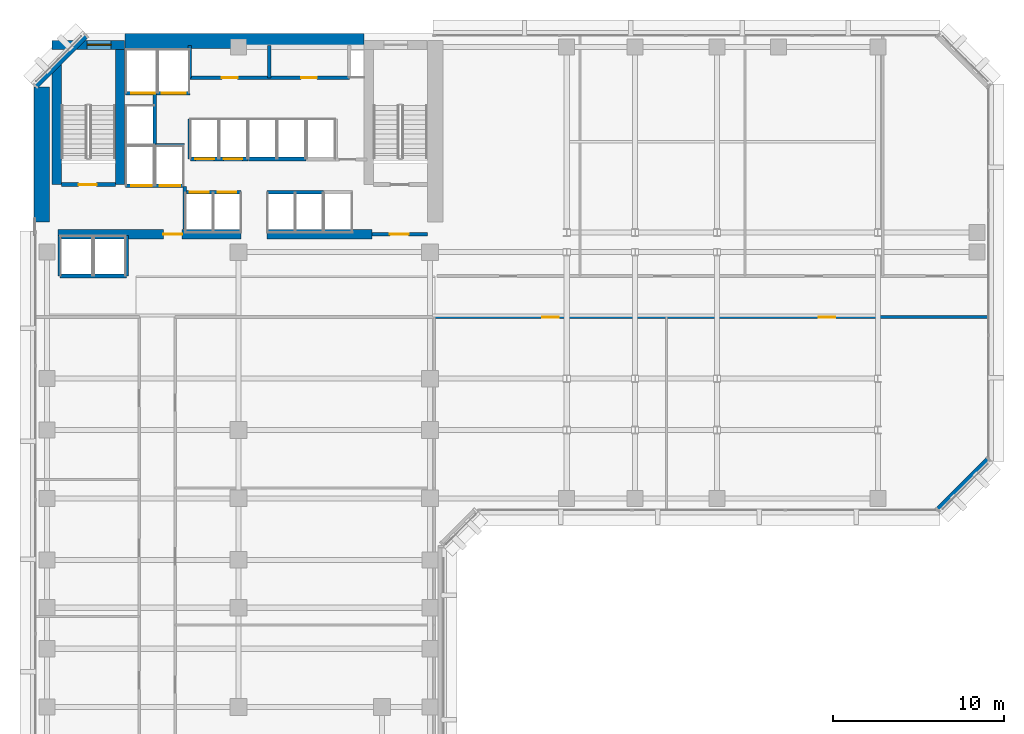
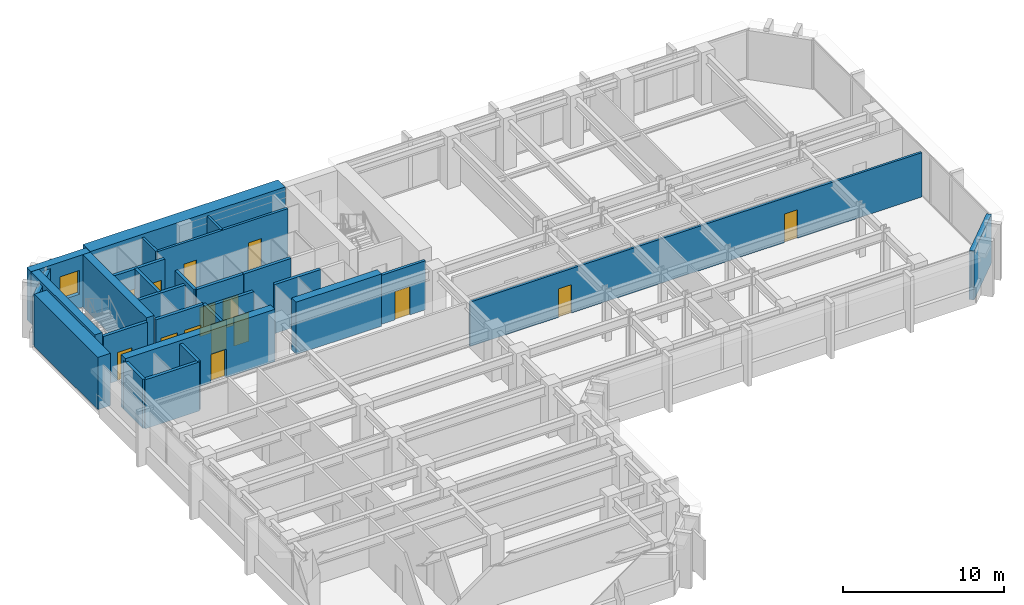
# One storey, part 7 of 13: 28 walls, 15 doors, 1 window, 16 openings.
"""IFC4 building model written with IfcOpenShell, lengths in metres."""

from ifc_helpers import new_model, si_unit, direction, frame, frame_2d, origin, place, context, subcontext, project, spatial, rectangle, extrude, material, layer, layer_set, type_object, element, fill, save


model = new_model("IFC4")

# Units and contexts
model_context = context("Model", 3, precision=1e-05, world=origin(), true_north=direction((0.0, 1.0)))
body_context = subcontext(model_context, "Body", "Model", "MODEL_VIEW")
ifc_project = project(units=[si_unit("LENGTHUNIT", "METRE"), si_unit("AREAUNIT", "SQUARE_METRE"), si_unit("VOLUMEUNIT", "CUBIC_METRE"), si_unit("PLANEANGLEUNIT", "RADIAN"), si_unit("MASSUNIT", "GRAM", prefix="KILO")], contexts=[model_context])

# Site, building, storey
site_placement = place(None, origin())
site = spatial("IfcSite", under=ifc_project, at=site_placement, CompositionType="ELEMENT")
building_placement = place(site_placement, origin())
building = spatial("IfcBuilding", under=site, at=building_placement, Name="Kefirva Bronze Tower", CompositionType="ELEMENT")
storey_placement = place(building_placement, frame((0.0, 0.0, 98.669921875)))
storey = spatial("IfcBuildingStorey", under=building, at=storey_placement, Name="L23", CompositionType="ELEMENT", Elevation=98.669921875)

# Wall, opening, door
ifc_material_1 = material(Name="Gypsum fireboard shaftwall")
ifc_layer_1 = layer(ifc_material_1, 0.219970703125, Name="Gypsum fireboard shaftwall")
ifc_layer_set_1 = layer_set([ifc_layer_1], Name="Gypsum fireboard shaftwall")
wall_type_1 = type_object("IfcWallType", Name="Fire-Rated Shaft Enclosure Wall 220mm", PredefinedType="PARTITIONING", material=ifc_layer_set_1)
wall_1_placement = place(storey_placement, frame((1.64990234375, 37.14990234375, 0.0), z_axis=(0.0, 0.0, 1.0), x_axis=(1.0, 0.0, 0.0)))
wall_1 = element("IfcWall", 1, at=wall_1_placement, inside=storey, type_object=wall_type_1, Name="L23 Partition W-L23-ST1S", PredefinedType="PARTITIONING", context=body_context, shape_type="SweptSolid", body=[
    extrude(rectangle(XDim=3.150146484375, YDim=0.219970703125, at=frame_2d((1.5751953125, 0.0))), origin(), (0.0, 0.0, 1.0), 3.7099609375),
])
opening_1_placement = place(wall_1_placement, frame((2.050048828125, 0.0, 0.0), z_axis=(0.0, 0.0, 1.0), x_axis=(-1.0, 0.0, 0.0)))
opening_1 = element("IfcOpeningElement", 2, at=opening_1_placement, cuts=wall_1, Name="Opening L23-D001", PredefinedType="OPENING", context=body_context, shape_type="SweptSolid", body=[
    extrude(rectangle(XDim=1.050048828125, YDim=2.14990234375, at=frame_2d((0.52490234375, 1.074951171875))), frame((0.0, 0.1201171875, 0.0), z_axis=(0.0, -1.0, 0.0), x_axis=(1.0, 0.0, 0.0)), (0.0, 0.0, 1.0), 0.239990234375),
])
ifc_material_2 = material(Name="Painted galvanized steel", Category="steel")
door_type_1 = type_object("IfcDoorType", Name="Fire Stair Enclosure Door 1050x2150 FD90S", OperationType="NOTDEFINED", PredefinedType="DOOR", material=ifc_material_2)
door_1_placement = place(opening_1_placement, origin())
door_1 = element("IfcDoor", 3, at=door_1_placement, inside=storey, type_object=door_type_1, Name="Door L23-D001", OperationType="SINGLE_SWING_LEFT", OverallHeight=2.14990234375, OverallWidth=1.050048828125, PredefinedType="DOOR", context=body_context, shape_type="SweptSolid", body=[
    extrude(rectangle(XDim=1.050048828125, YDim=2.14990234375, at=frame_2d((0.52490234375, 1.074951171875))), frame((0.0, 0.02490234375, 0.0), z_axis=(0.0, -1.0, 0.0), x_axis=(1.0, 0.0, 0.0)), (0.0, 0.0, 1.0), 0.050048828125),
])
fill(opening_1, door_1)

# Wall, openings, doors
wall_2_placement = place(storey_placement, frame((5.3798828125, 37.080078125, 0.0), z_axis=(0.0, 0.0, 1.0), x_axis=(1.0, 0.0, 0.0)))
wall_2 = element("IfcWall", 4, at=wall_2_placement, inside=storey, type_object=wall_type_1, Name="L23 Partition W-L23-FFS", PredefinedType="PARTITIONING", context=body_context, shape_type="SweptSolid", body=[
    extrude(rectangle(XDim=3.460205078125, YDim=0.219970703125, at=frame_2d((1.72998046875, 0.0))), origin(), (0.0, 0.0, 1.0), 3.7099609375),
])
opening_2_placement = place(wall_2_placement, frame((1.550048828125, 0.0, 0.0), z_axis=(0.0, 0.0, 1.0), x_axis=(-1.0, 0.0, 0.0)))
opening_2 = element("IfcOpeningElement", 5, at=opening_2_placement, cuts=wall_2, Name="Opening L23-LD-FF1", PredefinedType="OPENING", context=body_context, shape_type="SweptSolid", body=[
    extrude(rectangle(XDim=1.199951171875, YDim=2.199951171875, at=frame_2d((0.60009765625, 1.10009765625))), frame((0.0, 0.1201171875, 0.0), z_axis=(0.0, -1.0, 0.0), x_axis=(1.0, 0.0, 0.0)), (0.0, 0.0, 1.0), 0.239990234375),
])
opening_3_placement = place(wall_2_placement, frame((3.219970703125, 0.0, 0.0), z_axis=(0.0, 0.0, 1.0), x_axis=(-1.0, 0.0, 0.0)))
opening_3 = element("IfcOpeningElement", 6, at=opening_3_placement, cuts=wall_2, Name="Opening L23-LD-FF2", PredefinedType="OPENING", context=body_context, shape_type="SweptSolid", body=[
    extrude(rectangle(XDim=1.199951171875, YDim=2.199951171875, at=frame_2d((0.60009765625, 1.10009765625))), frame((0.0, 0.1201171875, 0.0), z_axis=(0.0, -1.0, 0.0), x_axis=(1.0, 0.0, 0.0)), (0.0, 0.0, 1.0), 0.239990234375),
])
ifc_material_3 = material(Name="Stainless steel 316", Category="steel")
door_type_2 = type_object("IfcDoorType", Name="Firefighting Lift Sliding Door 1200x2200", OperationType="SLIDING_TO_RIGHT", PredefinedType="DOOR", material=ifc_material_3)
door_2_placement = place(opening_2_placement, origin())
door_2 = element("IfcDoor", 7, at=door_2_placement, inside=storey, type_object=door_type_2, Name="Door L23-LD-FF1", OperationType="SLIDING_TO_RIGHT", OverallHeight=2.199951171875, OverallWidth=1.199951171875, PredefinedType="DOOR", context=body_context, shape_type="SweptSolid", body=[
    extrude(rectangle(XDim=1.199951171875, YDim=2.199951171875, at=frame_2d((0.60009765625, 1.10009765625))), frame((0.0, 0.02490234375, 0.0), z_axis=(0.0, -1.0, 0.0), x_axis=(1.0, 0.0, 0.0)), (0.0, 0.0, 1.0), 0.050048828125),
])
fill(opening_2, door_2)
door_3_placement = place(opening_3_placement, origin())
door_3 = element("IfcDoor", 8, at=door_3_placement, inside=storey, type_object=door_type_2, Name="Door L23-LD-FF2", OperationType="SLIDING_TO_RIGHT", OverallHeight=2.199951171875, OverallWidth=1.199951171875, PredefinedType="DOOR", context=body_context, shape_type="SweptSolid", body=[
    extrude(rectangle(XDim=1.199951171875, YDim=2.199951171875, at=frame_2d((0.60009765625, 1.10009765625))), frame((0.0, 0.02490234375, 0.0), z_axis=(0.0, -1.0, 0.0), x_axis=(1.0, 0.0, 0.0)), (0.0, 0.0, 1.0), 0.050048828125),
])
fill(opening_3, door_3)

# Wall
wall_3_placement = place(storey_placement, frame((5.3798828125, 39.449951171875, 0.0), z_axis=(0.0, 0.0, 1.0), x_axis=(1.0, 0.0, 0.0)))
element("IfcWall", 9, at=wall_3_placement, inside=storey, type_object=wall_type_1, Name="L23 Partition W-L23-FFN", PredefinedType="PARTITIONING", context=body_context, shape_type="SweptSolid", body=[
    extrude(rectangle(XDim=3.460205078125, YDim=0.219970703125, at=frame_2d((1.72998046875, 0.0))), origin(), (0.0, 0.0, 1.0), 3.7099609375),
])

# Wall, openings, doors
wall_4_placement = place(storey_placement, frame((5.3798828125, 42.5, 0.0), z_axis=(0.0, 0.0, 1.0), x_axis=(1.0, 0.0, 0.0)))
wall_4 = element("IfcWall", 10, at=wall_4_placement, inside=storey, type_object=wall_type_1, Name="L23 Partition W-L23-SVS", PredefinedType="PARTITIONING", context=body_context, shape_type="SweptSolid", body=[
    extrude(rectangle(XDim=3.77001953125, YDim=0.219970703125, at=frame_2d((1.885009765625, 0.0))), origin(), (0.0, 0.0, 1.0), 3.7099609375),
])
opening_4_placement = place(wall_4_placement, frame((1.75, 0.0, 0.0), z_axis=(0.0, 0.0, 1.0), x_axis=(-1.0, 0.0, 0.0)))
opening_4 = element("IfcOpeningElement", 11, at=opening_4_placement, cuts=wall_4, Name="Opening L23-LD-SV1", PredefinedType="OPENING", context=body_context, shape_type="SweptSolid", body=[
    extrude(rectangle(XDim=1.39990234375, YDim=2.199951171875, at=frame_2d((0.699951171875, 1.10009765625))), frame((0.0, 0.1201171875, 0.0), z_axis=(0.0, -1.0, 0.0), x_axis=(1.0, 0.0, 0.0)), (0.0, 0.0, 1.0), 0.239990234375),
])
opening_5_placement = place(wall_4_placement, frame((3.52978515625, 0.0, 0.0), z_axis=(0.0, 0.0, 1.0), x_axis=(-1.0, 0.0, 0.0)))
opening_5 = element("IfcOpeningElement", 12, at=opening_5_placement, cuts=wall_4, Name="Opening L23-LD-SV2", PredefinedType="OPENING", context=body_context, shape_type="SweptSolid", body=[
    extrude(rectangle(XDim=1.39990234375, YDim=2.199951171875, at=frame_2d((0.699951171875, 1.10009765625))), frame((0.0, 0.1201171875, 0.0), z_axis=(0.0, -1.0, 0.0), x_axis=(1.0, 0.0, 0.0)), (0.0, 0.0, 1.0), 0.239990234375),
])
door_type_3 = type_object("IfcDoorType", Name="Goods Lift Bi-Parting Sliding Door 1400x2200", OperationType="SLIDING_TO_LEFT", PredefinedType="DOOR", material=ifc_material_3)
door_4_placement = place(opening_4_placement, origin())
door_4 = element("IfcDoor", 13, at=door_4_placement, inside=storey, type_object=door_type_3, Name="Door L23-LD-SV1", OperationType="SLIDING_TO_LEFT", OverallHeight=2.199951171875, OverallWidth=1.39990234375, PredefinedType="DOOR", context=body_context, shape_type="SweptSolid", body=[
    extrude(rectangle(XDim=1.39990234375, YDim=2.199951171875, at=frame_2d((0.699951171875, 1.10009765625))), frame((0.0, 0.02490234375, 0.0), z_axis=(0.0, -1.0, 0.0), x_axis=(1.0, 0.0, 0.0)), (0.0, 0.0, 1.0), 0.050048828125),
])
fill(opening_4, door_4)
door_5_placement = place(opening_5_placement, origin())
door_5 = element("IfcDoor", 14, at=door_5_placement, inside=storey, type_object=door_type_3, Name="Door L23-LD-SV2", OperationType="SLIDING_TO_LEFT", OverallHeight=2.199951171875, OverallWidth=1.39990234375, PredefinedType="DOOR", context=body_context, shape_type="SweptSolid", body=[
    extrude(rectangle(XDim=1.39990234375, YDim=2.199951171875, at=frame_2d((0.699951171875, 1.10009765625))), frame((0.0, 0.02490234375, 0.0), z_axis=(0.0, -1.0, 0.0), x_axis=(1.0, 0.0, 0.0)), (0.0, 0.0, 1.0), 0.050048828125),
])
fill(opening_5, door_5)

# Walls
wall_5_placement = place(storey_placement, frame((7.10009765625, 39.52001953125, 0.0), z_axis=(0.0, 0.0, 1.0), x_axis=(0.0, 1.0, 0.0)))
element("IfcWall", 15, at=wall_5_placement, inside=storey, type_object=wall_type_1, Name="L23 Partition W-L23-HP3E", PredefinedType="PARTITIONING", context=body_context, shape_type="SweptSolid", body=[
    extrude(rectangle(XDim=2.929931640625, YDim=0.219970703125, at=frame_2d((1.46484375, 0.0))), origin(), (0.0, 0.0, 1.0), 3.7099609375),
])
wall_6_placement = place(storey_placement, frame((1.550048828125, 31.800048828125, 0.0), z_axis=(0.0, 0.0, 1.0), x_axis=(1.0, 0.0, 0.0)))
element("IfcWall", 16, at=wall_6_placement, inside=storey, type_object=wall_type_1, Name="L23 Partition W-L23-OBS", PredefinedType="PARTITIONING", context=body_context, shape_type="SweptSolid", body=[
    extrude(rectangle(XDim=3.89990234375, YDim=0.219970703125, at=frame_2d((1.949951171875, 0.0))), origin(), (0.0, 0.0, 1.0), 3.7099609375),
])
for number, where, z_axis, x_axis, name in (
    (17, (1.550048828125, 31.800048828125, 0.0), (0.0, 0.0, 1.0), (0.0, 1.0, 0.0), "L23 Partition W-L23-OBW"),
    (18, (5.449951171875, 31.800048828125, 0.0), (0.0, 0.0, 1.0), (0.0, 1.0, 0.0), "L23 Partition W-L23-OBE"),
):
    element("IfcWall", number, at=place(storey_placement, frame(where, z_axis=z_axis, x_axis=x_axis)), inside=storey, type_object=wall_type_1, Name=name, PredefinedType="PARTITIONING", context=body_context, shape_type="SweptSolid", body=[
        extrude(rectangle(XDim=2.3798828125, YDim=0.219970703125, at=frame_2d((1.18994140625, 0.0))), origin(), (0.0, 0.0, 1.0), 3.7099609375),
    ])
wall_7_placement = place(storey_placement, frame((9.159912109375, 38.64990234375, 0.0), z_axis=(0.0, 0.0, 1.0), x_axis=(0.0, 1.0, 0.0)))
element("IfcWall", 19, at=wall_7_placement, inside=storey, type_object=wall_type_1, Name="L23 Partition W-L23-LP3W", PredefinedType="PARTITIONING", context=body_context, shape_type="SweptSolid", body=[
    extrude(rectangle(XDim=2.35009765625, YDim=0.199951171875, at=frame_2d((1.175048828125, 0.0))), origin(), (0.0, 0.0, 1.0), 3.7099609375),
])

# Wall, openings, doors
wall_8_placement = place(storey_placement, frame((8.89990234375, 36.699951171875, 0.0), z_axis=(0.0, 0.0, 1.0), x_axis=(1.0, 0.0, 0.0)))
wall_8 = element("IfcWall", 20, at=wall_8_placement, inside=storey, type_object=wall_type_1, Name="L23 Partition W-L23-LPS", PredefinedType="PARTITIONING", context=body_context, shape_type="SweptSolid", body=[
    extrude(rectangle(XDim=3.260009765625, YDim=0.219970703125, at=frame_2d((1.6298828125, 0.0))), origin(), (0.0, 0.0, 1.0), 3.7099609375),
])
opening_6_placement = place(wall_8_placement, frame((0.260009765625, 0.0, 0.0)))
opening_6 = element("IfcOpeningElement", 21, at=opening_6_placement, cuts=wall_8, Name="Opening L23-LD-LP1", PredefinedType="OPENING", context=body_context, shape_type="SweptSolid", body=[
    extrude(rectangle(XDim=1.10009765625, YDim=2.199951171875, at=frame_2d((0.550048828125, 1.10009765625))), frame((0.0, 0.1201171875, 0.0), z_axis=(0.0, -1.0, 0.0), x_axis=(1.0, 0.0, 0.0)), (0.0, 0.0, 1.0), 0.239990234375),
])
opening_7_placement = place(wall_8_placement, frame((1.8798828125, 0.0, 0.0)))
opening_7 = element("IfcOpeningElement", 22, at=opening_7_placement, cuts=wall_8, Name="Opening L23-LD-LP2", PredefinedType="OPENING", context=body_context, shape_type="SweptSolid", body=[
    extrude(rectangle(XDim=1.10009765625, YDim=2.199951171875, at=frame_2d((0.550048828125, 1.10009765625))), frame((0.0, 0.1201171875, 0.0), z_axis=(0.0, -1.0, 0.0), x_axis=(1.0, 0.0, 0.0)), (0.0, 0.0, 1.0), 0.239990234375),
])
door_type_4 = type_object("IfcDoorType", Name="Passenger Lift Sliding Landing Door 1100x2200", OperationType="SLIDING_TO_LEFT", PredefinedType="DOOR", material=ifc_material_3)
door_6_placement = place(opening_6_placement, origin())
door_6 = element("IfcDoor", 23, at=door_6_placement, inside=storey, type_object=door_type_4, Name="Door L23-LD-LP1", OperationType="SLIDING_TO_LEFT", OverallHeight=2.199951171875, OverallWidth=1.10009765625, PredefinedType="DOOR", context=body_context, shape_type="SweptSolid", body=[
    extrude(rectangle(XDim=1.10009765625, YDim=2.199951171875, at=frame_2d((0.550048828125, 1.10009765625))), frame((0.0, 0.02490234375, 0.0), z_axis=(0.0, -1.0, 0.0), x_axis=(1.0, 0.0, 0.0)), (0.0, 0.0, 1.0), 0.050048828125),
])
fill(opening_6, door_6)
door_7_placement = place(opening_7_placement, origin())
door_7 = element("IfcDoor", 24, at=door_7_placement, inside=storey, type_object=door_type_4, Name="Door L23-LD-LP2", OperationType="SLIDING_TO_LEFT", OverallHeight=2.199951171875, OverallWidth=1.10009765625, PredefinedType="DOOR", context=body_context, shape_type="SweptSolid", body=[
    extrude(rectangle(XDim=1.10009765625, YDim=2.199951171875, at=frame_2d((0.550048828125, 1.10009765625))), frame((0.0, 0.02490234375, 0.0), z_axis=(0.0, -1.0, 0.0), x_axis=(1.0, 0.0, 0.0)), (0.0, 0.0, 1.0), 0.050048828125),
])
fill(opening_7, door_7)

wall_9_placement = place(storey_placement, frame((9.179931640625, 38.64990234375, 0.0), z_axis=(0.0, 0.0, 1.0), x_axis=(1.0, 0.0, 0.0)))
wall_9 = element("IfcWall", 25, at=wall_9_placement, inside=storey, type_object=wall_type_1, Name="L23 Partition W-L23-LPN", PredefinedType="PARTITIONING", context=body_context, shape_type="SweptSolid", body=[
    extrude(rectangle(XDim=3.380126953125, YDim=0.219970703125, at=frame_2d((1.68994140625, 0.0))), origin(), (0.0, 0.0, 1.0), 3.7099609375),
])
opening_8_placement = place(wall_9_placement, frame((0.300048828125, 0.0, 0.0)))
opening_8 = element("IfcOpeningElement", 26, at=opening_8_placement, cuts=wall_9, Name="Opening L23-LD-LP3", PredefinedType="OPENING", context=body_context, shape_type="SweptSolid", body=[
    extrude(rectangle(XDim=1.10009765625, YDim=2.199951171875, at=frame_2d((0.550048828125, 1.10009765625))), frame((0.0, 0.1201171875, 0.0), z_axis=(0.0, -1.0, 0.0), x_axis=(1.0, 0.0, 0.0)), (0.0, 0.0, 1.0), 0.239990234375),
])
opening_9_placement = place(wall_9_placement, frame((1.949951171875, 0.0, 0.0)))
opening_9 = element("IfcOpeningElement", 27, at=opening_9_placement, cuts=wall_9, Name="Opening L23-LD-LP4", PredefinedType="OPENING", context=body_context, shape_type="SweptSolid", body=[
    extrude(rectangle(XDim=1.10009765625, YDim=2.199951171875, at=frame_2d((0.550048828125, 1.10009765625))), frame((0.0, 0.1201171875, 0.0), z_axis=(0.0, -1.0, 0.0), x_axis=(1.0, 0.0, 0.0)), (0.0, 0.0, 1.0), 0.239990234375),
])
door_8_placement = place(opening_8_placement, origin())
door_8 = element("IfcDoor", 28, at=door_8_placement, inside=storey, type_object=door_type_4, Name="Door L23-LD-LP3", OperationType="SLIDING_TO_LEFT", OverallHeight=2.199951171875, OverallWidth=1.10009765625, PredefinedType="DOOR", context=body_context, shape_type="SweptSolid", body=[
    extrude(rectangle(XDim=1.10009765625, YDim=2.199951171875, at=frame_2d((0.550048828125, 1.10009765625))), frame((0.0, 0.02490234375, 0.0), z_axis=(0.0, -1.0, 0.0), x_axis=(1.0, 0.0, 0.0)), (0.0, 0.0, 1.0), 0.050048828125),
])
fill(opening_8, door_8)
door_9_placement = place(opening_9_placement, origin())
door_9 = element("IfcDoor", 29, at=door_9_placement, inside=storey, type_object=door_type_4, Name="Door L23-LD-LP4", OperationType="SLIDING_TO_LEFT", OverallHeight=2.199951171875, OverallWidth=1.10009765625, PredefinedType="DOOR", context=body_context, shape_type="SweptSolid", body=[
    extrude(rectangle(XDim=1.10009765625, YDim=2.199951171875, at=frame_2d((0.550048828125, 1.10009765625))), frame((0.0, 0.02490234375, 0.0), z_axis=(0.0, -1.0, 0.0), x_axis=(1.0, 0.0, 0.0)), (0.0, 0.0, 1.0), 0.050048828125),
])
fill(opening_9, door_9)

# Walls
wall_10_placement = place(storey_placement, frame((13.679931640625, 36.699951171875, 0.0), z_axis=(0.0, 0.0, 1.0), x_axis=(1.0, 0.0, 0.0)))
element("IfcWall", 30, at=wall_10_placement, inside=storey, type_object=wall_type_1, Name="L23 Partition W-L23-MPS", PredefinedType="PARTITIONING", context=body_context, shape_type="SweptSolid", body=[
    extrude(rectangle(XDim=3.280029296875, YDim=0.219970703125, at=frame_2d((1.64013671875, 0.0))), origin(), (0.0, 0.0, 1.0), 3.7099609375),
])
wall_11_placement = place(storey_placement, frame((12.580078125, 38.64990234375, 0.0), z_axis=(0.0, 0.0, 1.0), x_axis=(1.0, 0.0, 0.0)))
element("IfcWall", 31, at=wall_11_placement, inside=storey, type_object=wall_type_1, Name="L23 Partition W-L23-MPN", PredefinedType="PARTITIONING", context=body_context, shape_type="SweptSolid", body=[
    extrude(rectangle(XDim=3.3798828125, YDim=0.219970703125, at=frame_2d((1.68994140625, 0.0))), origin(), (0.0, 0.0, 1.0), 3.7099609375),
])
ifc_material_4 = material(Name="Gypsum fireboard barrier")
ifc_layer_2 = layer(ifc_material_4, 0.199951171875, Name="Gypsum fireboard barrier")
ifc_layer_set_2 = layer_set([ifc_layer_2], Name="Gypsum fireboard barrier")
wall_type_2 = type_object("IfcWallType", Name="Firefighting Lobby Barrier Wall 200mm", PredefinedType="PARTITIONING", material=ifc_layer_set_2)
wall_12_placement = place(storey_placement, frame((8.860107421875, 34.550048828125, 0.0), z_axis=(0.0, 0.0, 1.0), x_axis=(0.0, 1.0, 0.0)))
element("IfcWall", 32, at=wall_12_placement, inside=storey, type_object=wall_type_2, Name="L23 Partition W-L23-FFLE", PredefinedType="PARTITIONING", context=body_context, shape_type="SweptSolid", body=[
    extrude(rectangle(XDim=2.5, YDim=0.199951171875, at=frame_2d((1.25, 0.0))), origin(), (0.0, 0.0, 1.0), 3.7099609375),
])

# Wall, opening, door
wall_13_placement = place(storey_placement, frame((19.800048828125, 34.25, 0.0), z_axis=(0.0, 0.0, 1.0), x_axis=(1.0, 0.0, 0.0)))
wall_13 = element("IfcWall", 33, at=wall_13_placement, inside=storey, type_object=wall_type_2, Name="L23 Partition W-L23-ST2F", PredefinedType="PARTITIONING", context=body_context, shape_type="SweptSolid", body=[
    extrude(rectangle(XDim=3.25, YDim=0.199951171875, at=frame_2d((1.625, 0.0))), origin(), (0.0, 0.0, 1.0), 3.7099609375),
])
opening_10_placement = place(wall_13_placement, frame((2.150146484375, 0.0, 0.0), z_axis=(0.0, 0.0, 1.0), x_axis=(-1.0, 0.0, 0.0)))
opening_10 = element("IfcOpeningElement", 34, at=opening_10_placement, cuts=wall_13, Name="Opening L23-D004", PredefinedType="OPENING", context=body_context, shape_type="SweptSolid", body=[
    extrude(rectangle(XDim=1.10009765625, YDim=2.14990234375, at=frame_2d((0.550048828125, 1.074951171875))), frame((0.0, 0.10986328125, 0.0), z_axis=(0.0, -1.0, 0.0), x_axis=(1.0, 0.0, 0.0)), (0.0, 0.0, 1.0), 0.219970703125),
])
door_type_5 = type_object("IfcDoorType", Name="Firefighting Lobby Smoke Door 1100x2150 FD60S", OperationType="NOTDEFINED", PredefinedType="DOOR", material=ifc_material_2)
door_10_placement = place(opening_10_placement, origin())
door_10 = element("IfcDoor", 35, at=door_10_placement, inside=storey, type_object=door_type_5, Name="Door L23-D004", OperationType="SINGLE_SWING_RIGHT", OverallHeight=2.14990234375, OverallWidth=1.10009765625, PredefinedType="DOOR", context=body_context, shape_type="SweptSolid", body=[
    extrude(rectangle(XDim=1.10009765625, YDim=2.14990234375, at=frame_2d((0.550048828125, 1.074951171875))), frame((0.0, 0.02490234375, 0.0), z_axis=(0.0, -1.0, 0.0), x_axis=(1.0, 0.0, 0.0)), (0.0, 0.0, 1.0), 0.050048828125),
])
fill(opening_10, door_10)

# Walls
ifc_material_5 = material(Name="Precast concrete C40/50", Category="concrete")
ifc_layer_3 = layer(ifc_material_5, 0.320068359375, Name="Precast concrete C40/50")
ifc_layer_set_3 = layer_set([ifc_layer_3], Name="Precast concrete C40/50")
wall_type_3 = type_object("IfcWallType", Name="Precast Insulated Exterior Wall 320mm", PredefinedType="SOLIDWALL", material=ifc_layer_set_3)
for number, where, z_axis, x_axis, name in (
    (36, (52.92578125, 18.152099609375, 0.0), (0.0, 0.0, 1.0), (0.707106781187, 0.707106781187, 0.0), "L23 Exterior Facade Wall 4"),
    (37, (3.07421875, 45.847900390625, 0.0), (0.0, 0.0, 1.0), (-0.707106781187, -0.707106781187, 0.0), "L23 Exterior Facade Wall 6"),
):
    element("IfcWall", number, at=place(storey_placement, frame(where, z_axis=z_axis, x_axis=x_axis)), inside=storey, type_object=wall_type_3, Name=name, PredefinedType="SOLIDWALL", context=body_context, shape_type="SweptSolid", body=[
        extrude(rectangle(XDim=4.132568359375, YDim=0.320068359375, at=frame_2d((2.06640625, 0.0))), origin(), (0.0, 0.0, 1.0), 3.7099609375),
    ])

# Wall, openings, doors
ifc_material_6 = material(Name="Gypsum acoustic partition")
ifc_layer_4 = layer(ifc_material_6, 0.159912109375, Name="Gypsum acoustic partition")
ifc_layer_set_4 = layer_set([ifc_layer_4], Name="Gypsum acoustic partition")
wall_type_4 = type_object("IfcWallType", Name="Protected Corridor Partition 160mm", PredefinedType="PARTITIONING", material=ifc_layer_set_4)
wall_14_placement = place(storey_placement, frame((23.449951171875, 29.39990234375, 0.0), z_axis=(0.0, 0.0, 1.0), x_axis=(1.0, 0.0, 0.0)))
wall_14 = element("IfcWall", 38, at=wall_14_placement, inside=storey, type_object=wall_type_4, Name="L23 Partition W-L23-EWS", PredefinedType="PARTITIONING", context=body_context, shape_type="SweptSolid", body=[
    extrude(rectangle(XDim=32.360107421875, YDim=0.159912109375, at=frame_2d((16.18017578125, 0.0))), origin(), (0.0, 0.0, 1.0), 3.364990234375),
])
opening_11_placement = place(wall_14_placement, frame((7.2705078125, 0.0, 0.0), z_axis=(0.0, 0.0, 1.0), x_axis=(-1.0, 0.0, 0.0)))
opening_11 = element("IfcOpeningElement", 39, at=opening_11_placement, cuts=wall_14, Name="Opening L23-D-ES1", PredefinedType="OPENING", context=body_context, shape_type="SweptSolid", body=[
    extrude(rectangle(XDim=0.949951171875, YDim=2.14990234375, at=frame_2d((0.47509765625, 1.074951171875))), frame((0.0, 0.08984375, 0.0), z_axis=(0.0, -1.0, 0.0), x_axis=(1.0, 0.0, 0.0)), (0.0, 0.0, 1.0), 0.179931640625),
])
opening_12_placement = place(wall_14_placement, frame((23.450439453125, 0.0, 0.0), z_axis=(0.0, 0.0, 1.0), x_axis=(-1.0, 0.0, 0.0)))
opening_12 = element("IfcOpeningElement", 40, at=opening_12_placement, cuts=wall_14, Name="Opening L23-D-ES2", PredefinedType="OPENING", context=body_context, shape_type="SweptSolid", body=[
    extrude(rectangle(XDim=0.949951171875, YDim=2.14990234375, at=frame_2d((0.47509765625, 1.074951171875))), frame((0.0, 0.08984375, 0.0), z_axis=(0.0, -1.0, 0.0), x_axis=(1.0, 0.0, 0.0)), (0.0, 0.0, 1.0), 0.179931640625),
])
ifc_material_7 = material(Name="Acoustic hardwood oak", Category="wood")
door_type_6 = type_object("IfcDoorType", Name="Office & Meeting Room Door 950x2150", OperationType="NOTDEFINED", PredefinedType="DOOR", material=ifc_material_7)
door_11_placement = place(opening_11_placement, origin())
door_11 = element("IfcDoor", 41, at=door_11_placement, inside=storey, type_object=door_type_6, Name="Door L23-D-ES1", OperationType="SINGLE_SWING_LEFT", OverallHeight=2.14990234375, OverallWidth=0.949951171875, PredefinedType="DOOR", context=body_context, shape_type="SweptSolid", body=[
    extrude(rectangle(XDim=0.949951171875, YDim=2.14990234375, at=frame_2d((0.47509765625, 1.074951171875))), frame((0.0, 0.02490234375, 0.0), z_axis=(0.0, -1.0, 0.0), x_axis=(1.0, 0.0, 0.0)), (0.0, 0.0, 1.0), 0.050048828125),
])
fill(opening_11, door_11)
door_12_placement = place(opening_12_placement, origin())
door_12 = element("IfcDoor", 42, at=door_12_placement, inside=storey, type_object=door_type_6, Name="Door L23-D-ES2", OperationType="SINGLE_SWING_RIGHT", OverallHeight=2.14990234375, OverallWidth=0.949951171875, PredefinedType="DOOR", context=body_context, shape_type="SweptSolid", body=[
    extrude(rectangle(XDim=0.949951171875, YDim=2.14990234375, at=frame_2d((0.47509765625, 1.074951171875))), frame((0.0, 0.02490234375, 0.0), z_axis=(0.0, -1.0, 0.0), x_axis=(1.0, 0.0, 0.0)), (0.0, 0.0, 1.0), 0.050048828125),
])
fill(opening_12, door_12)

# Wall, opening, window
ifc_material_8 = material(Name="Concrete C50/60", Category="concrete")
ifc_layer_5 = layer(ifc_material_8, 0.550048828125, Name="Concrete C50/60")
ifc_layer_set_5 = layer_set([ifc_layer_5], Name="Concrete C50/60")
wall_type_5 = type_object("IfcWallType", Name="RC Rear Core Exterior Wall 550mm", PredefinedType="SHEAR", material=ifc_layer_set_5)
wall_15_placement = place(storey_placement, frame((1.10009765625, 45.320068359375, 0.0), z_axis=(0.0, 0.0, 1.0), x_axis=(1.0, 0.0, 0.0)))
wall_15 = element("IfcWall", 43, at=wall_15_placement, inside=storey, type_object=wall_type_5, Name="L23 Stair 1 North Shear Wall", PredefinedType="SHEAR", context=body_context, shape_type="SweptSolid", body=[
    extrude(rectangle(XDim=4.239990234375, YDim=0.550048828125, at=frame_2d((2.1201171875, 0.0))), origin(), (0.0, 0.0, 1.0), 3.9599609375),
])
opening_13_placement = place(wall_15_placement, frame((2.050048828125, 0.0, 1.050048828125)))
opening_13 = element("IfcOpeningElement", 44, at=opening_13_placement, cuts=wall_15, Name="Opening WN-03", PredefinedType="OPENING", context=body_context, shape_type="SweptSolid", body=[
    extrude(rectangle(XDim=1.39990234375, YDim=1.800048828125, at=frame_2d((0.699951171875, 0.89990234375))), frame((0.0, 0.28515625, 0.0), z_axis=(0.0, -1.0, 0.0), x_axis=(1.0, 0.0, 0.0)), (0.0, 0.0, 1.0), 0.570068359375),
])
ifc_material_9 = material(Name="Laminated low-E double glazing", Category="glass")
window_type = type_object("IfcWindowType", Name="Rear-Core Stair Daylight Window 1400x1800", PartitioningType="SINGLE_PANEL", PredefinedType="WINDOW", material=ifc_material_9)
window_placement = place(opening_13_placement, origin())
window = element("IfcWindow", 45, at=window_placement, inside=storey, type_object=window_type, Name="L23 Stair 1 Daylight Window", OverallHeight=1.800048828125, OverallWidth=1.39990234375, PartitioningType="SINGLE_PANEL", PredefinedType="WINDOW", context=body_context, shape_type="SweptSolid", body=[
    extrude(rectangle(XDim=1.39990234375, YDim=1.800048828125, at=frame_2d((0.699951171875, 0.89990234375))), frame((0.0, 0.030029296875, 0.0), z_axis=(0.0, -1.0, 0.0), x_axis=(1.0, 0.0, 0.0)), (0.0, 0.0, 1.0), 0.06005859375),
])
fill(opening_13, window)

# Walls
ifc_material_10 = material(Name="Concrete C60/75", Category="concrete")
ifc_layer_6 = layer(ifc_material_10, 0.89990234375, Name="Concrete C60/75")
ifc_layer_set_6 = layer_set([ifc_layer_6], Name="Concrete C60/75")
wall_type_6 = type_object("IfcWallType", Name="RC Rear Core Exterior Wall 900mm", PredefinedType="SHEAR", material=ifc_layer_set_6)
wall_16_placement = place(storey_placement, frame((5.360107421875, 45.550048828125, 0.0), z_axis=(0.0, 0.0, 1.0), x_axis=(1.0, 0.0, 0.0)))
element("IfcWall", 46, at=wall_16_placement, inside=storey, type_object=wall_type_6, Name="L23 Rear Core North Shear Wall", PredefinedType="SHEAR", context=body_context, shape_type="SweptSolid", body=[
    extrude(rectangle(XDim=13.97998046875, YDim=0.89990234375, at=frame_2d((6.989990234375, 0.0))), origin(), (0.0, 0.0, 1.0), 3.9599609375),
])
wall_17_placement = place(storey_placement, frame((0.5, 34.949951171875, 0.0), z_axis=(0.0, 0.0, 1.0), x_axis=(0.0, 1.0, 0.0)))
element("IfcWall", 47, at=wall_17_placement, inside=storey, type_object=wall_type_6, Name="L23 Rear Core West Shear Wall", PredefinedType="SHEAR", context=body_context, shape_type="SweptSolid", body=[
    extrude(rectangle(XDim=7.900146484375, YDim=0.89990234375, at=frame_2d((3.9501953125, 0.0))), origin(), (0.0, 0.0, 1.0), 3.9599609375),
])
ifc_layer_7 = layer(ifc_material_8, 0.550048828125, Name="Concrete C50/60")
ifc_layer_set_7 = layer_set([ifc_layer_7], Name="Concrete C50/60")
wall_type_7 = type_object("IfcWallType", Name="RC Rear Core Interior Wall 550mm", PredefinedType="SHEAR", material=ifc_layer_set_7)
for number, where, z_axis, x_axis, name in (
    (48, (1.3701171875, 37.14990234375, 0.0), (0.0, 0.0, 1.0), (0.0, 1.0, 0.0), "L23 Stair 1 West Shear Wall"),
    (49, (5.070068359375, 37.14990234375, 0.0), (0.0, 0.0, 1.0), (0.0, 1.0, 0.0), "L23 Stair 1 East Shear Wall"),
):
    element("IfcWall", number, at=place(storey_placement, frame(where, z_axis=z_axis, x_axis=x_axis)), inside=storey, type_object=wall_type_7, Name=name, PredefinedType="SHEAR", context=body_context, shape_type="SweptSolid", body=[
        extrude(rectangle(XDim=7.89013671875, YDim=0.550048828125, at=frame_2d((3.945068359375, 0.0))), origin(), (0.0, 0.0, 1.0), 3.9599609375),
    ])

# Wall, opening, door
ifc_layer_8 = layer(ifc_material_10, 0.89990234375, Name="Concrete C60/75")
ifc_layer_set_8 = layer_set([ifc_layer_8], Name="Concrete C60/75")
wall_type_8 = type_object("IfcWallType", Name="RC Rear Core Interior Wall 900mm", PredefinedType="SHEAR", material=ifc_layer_set_8)
wall_18_placement = place(storey_placement, frame((1.449951171875, 34.25, 0.0), z_axis=(0.0, 0.0, 1.0), x_axis=(1.0, 0.0, 0.0)))
wall_18 = element("IfcWall", 50, at=wall_18_placement, inside=storey, type_object=wall_type_8, Name="L23 Rear Core South-West Shear Wall", PredefinedType="SHEAR", context=body_context, shape_type="SweptSolid", body=[
    extrude(rectangle(XDim=10.7099609375, YDim=0.550048828125, at=frame_2d((5.35498046875, 0.0))), origin(), (0.0, 0.0, 1.0), 3.9599609375),
])
opening_14_placement = place(wall_18_placement, frame((7.25, 0.0, 0.0), z_axis=(0.0, 0.0, 1.0), x_axis=(-1.0, 0.0, 0.0)))
opening_14 = element("IfcOpeningElement", 51, at=opening_14_placement, cuts=wall_18, Name="Opening L23-D002", PredefinedType="OPENING", context=body_context, shape_type="SweptSolid", body=[
    extrude(rectangle(XDim=1.10009765625, YDim=2.14990234375, at=frame_2d((0.550048828125, 1.074951171875))), frame((0.0, 0.28515625, 0.0), z_axis=(0.0, -1.0, 0.0), x_axis=(1.0, 0.0, 0.0)), (0.0, 0.0, 1.0), 0.570068359375),
])
door_13_placement = place(opening_14_placement, origin())
door_13 = element("IfcDoor", 52, at=door_13_placement, inside=storey, type_object=door_type_5, Name="Door L23-D002", OperationType="SINGLE_SWING_RIGHT", OverallHeight=2.14990234375, OverallWidth=1.10009765625, PredefinedType="DOOR", context=body_context, shape_type="SweptSolid", body=[
    extrude(rectangle(XDim=1.10009765625, YDim=2.14990234375, at=frame_2d((0.550048828125, 1.074951171875))), frame((0.0, 0.02490234375, 0.0), z_axis=(0.0, -1.0, 0.0), x_axis=(1.0, 0.0, 0.0)), (0.0, 0.0, 1.0), 0.050048828125),
])
fill(opening_14, door_13)

# Wall
wall_19_placement = place(storey_placement, frame((13.679931640625, 34.25, 0.0), z_axis=(0.0, 0.0, 1.0), x_axis=(1.0, 0.0, 0.0)))
element("IfcWall", 53, at=wall_19_placement, inside=storey, type_object=wall_type_8, Name="L23 Rear Core South-East Shear Wall", PredefinedType="SHEAR", context=body_context, shape_type="SweptSolid", body=[
    extrude(rectangle(XDim=6.1201171875, YDim=0.550048828125, at=frame_2d((3.06005859375, 0.0))), origin(), (0.0, 0.0, 1.0), 3.9599609375),
])

# Wall, openings, doors
ifc_material_11 = material(Name="Moisture-resistant partition")
ifc_layer_9 = layer(ifc_material_11, 0.179931640625, Name="Moisture-resistant partition")
ifc_layer_set_9 = layer_set([ifc_layer_9], Name="Moisture-resistant partition")
wall_type_9 = type_object("IfcWallType", Name="Sanitary Plumbing Chase Wall 180mm", PredefinedType="PLUMBINGWALL", material=ifc_layer_set_9)
wall_20_placement = place(storey_placement, frame((9.14990234375, 43.39990234375, 0.0), z_axis=(0.0, 0.0, 1.0), x_axis=(1.0, 0.0, 0.0)))
wall_20 = element("IfcWall", 54, at=wall_20_placement, inside=storey, type_object=wall_type_9, Name="L23 Partition W-L23-SVCS", PredefinedType="PLUMBINGWALL", context=body_context, shape_type="SweptSolid", body=[
    extrude(rectangle(XDim=9.330078125, YDim=0.179931640625, at=frame_2d((4.6650390625, 0.0))), origin(), (0.0, 0.0, 1.0), 3.7099609375),
])
opening_15_placement = place(wall_20_placement, frame((1.8798828125, 0.0, 0.0)))
opening_15 = element("IfcOpeningElement", 55, at=opening_15_placement, cuts=wall_20, Name="Opening L23-D-CSVC1", PredefinedType="OPENING", context=body_context, shape_type="SweptSolid", body=[
    extrude(rectangle(XDim=0.919921875, YDim=2.10009765625, at=frame_2d((0.4599609375, 1.050048828125))), frame((0.0, 0.10009765625, 0.0), z_axis=(0.0, -1.0, 0.0), x_axis=(1.0, 0.0, 0.0)), (0.0, 0.0, 1.0), 0.199951171875),
])
opening_16_placement = place(wall_20_placement, frame((6.514892578125, 0.0, 0.0)))
opening_16 = element("IfcOpeningElement", 56, at=opening_16_placement, cuts=wall_20, Name="Opening L23-D-CSVC2", PredefinedType="OPENING", context=body_context, shape_type="SweptSolid", body=[
    extrude(rectangle(XDim=0.919921875, YDim=2.10009765625, at=frame_2d((0.4599609375, 1.050048828125))), frame((0.0, 0.10009765625, 0.0), z_axis=(0.0, -1.0, 0.0), x_axis=(1.0, 0.0, 0.0)), (0.0, 0.0, 1.0), 0.199951171875),
])
ifc_material_12 = material(Name="Moisture-resistant timber", Category="wood")
door_type_7 = type_object("IfcDoorType", Name="Accessible Sanitary & WC Door 920x2100", OperationType="NOTDEFINED", PredefinedType="DOOR", material=ifc_material_12)
door_14_placement = place(opening_15_placement, origin())
door_14 = element("IfcDoor", 57, at=door_14_placement, inside=storey, type_object=door_type_7, Name="Door L23-D-CSVC1", OperationType="SINGLE_SWING_RIGHT", OverallHeight=2.10009765625, OverallWidth=0.919921875, PredefinedType="DOOR", context=body_context, shape_type="SweptSolid", body=[
    extrude(rectangle(XDim=0.919921875, YDim=2.10009765625, at=frame_2d((0.4599609375, 1.050048828125))), frame((0.0, 0.02490234375, 0.0), z_axis=(0.0, -1.0, 0.0), x_axis=(1.0, 0.0, 0.0)), (0.0, 0.0, 1.0), 0.050048828125),
])
fill(opening_15, door_14)
door_15_placement = place(opening_16_placement, origin())
door_15 = element("IfcDoor", 58, at=door_15_placement, inside=storey, type_object=door_type_7, Name="Door L23-D-CSVC2", OperationType="SINGLE_SWING_LEFT", OverallHeight=2.10009765625, OverallWidth=0.919921875, PredefinedType="DOOR", context=body_context, shape_type="SweptSolid", body=[
    extrude(rectangle(XDim=0.919921875, YDim=2.10009765625, at=frame_2d((0.4599609375, 1.050048828125))), frame((0.0, 0.02490234375, 0.0), z_axis=(0.0, -1.0, 0.0), x_axis=(1.0, 0.0, 0.0)), (0.0, 0.0, 1.0), 0.050048828125),
])
fill(opening_16, door_15)

# Walls
for number, where, z_axis, x_axis, name in (
    (59, (9.14990234375, 43.39990234375, 0.0), (0.0, 0.0, 1.0), (0.0, 1.0, 0.0), "L23 Partition W-L23-SVCW"),
    (60, (13.800048828125, 43.39990234375, 0.0), (0.0, 0.0, 1.0), (0.0, 1.0, 0.0), "L23 Partition W-L23-CSVD-1"),
):
    element("IfcWall", number, at=place(storey_placement, frame(where, z_axis=z_axis, x_axis=x_axis)), inside=storey, type_object=wall_type_9, Name=name, PredefinedType="PLUMBINGWALL", context=body_context, shape_type="SweptSolid", body=[
        extrude(rectangle(XDim=1.880126953125, YDim=0.179931640625, at=frame_2d((0.93994140625, 0.0))), origin(), (0.0, 0.0, 1.0), 3.7099609375),
    ])

save(model, "model.ifc")
